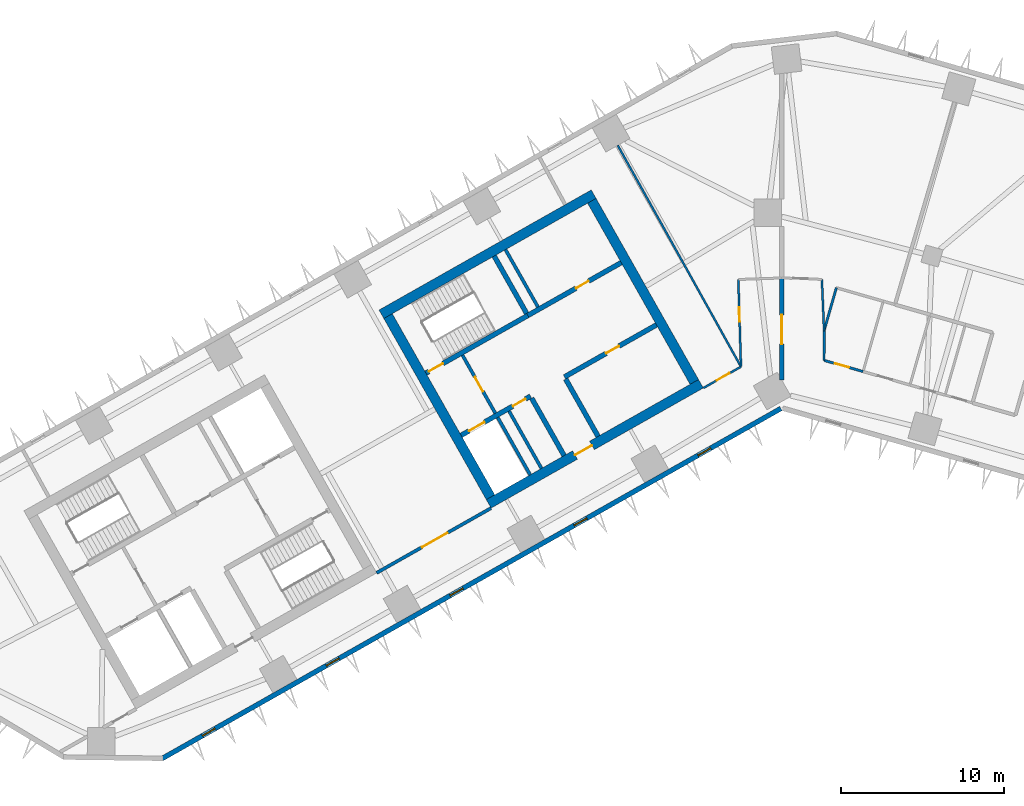
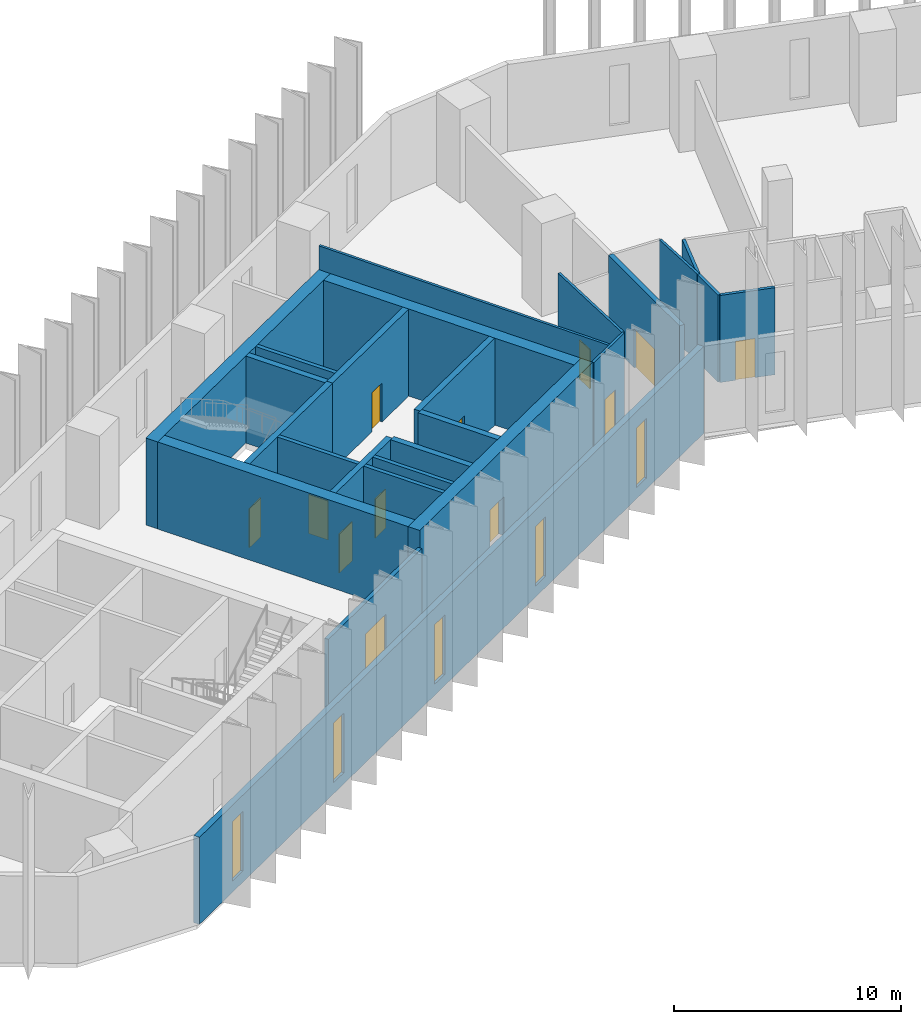
# One storey, part 4 of 11: 25 walls, 12 doors, 5 windows, 17 openings.
"""IFC4 building model written with IfcOpenShell, lengths in metres."""

from ifc_helpers import new_model, si_unit, direction, frame, frame_2d, origin, place, context, subcontext, project, spatial, rectangle, extrude, material, layer, layer_set, type_object, element, fill, save


model = new_model("IFC4")

# Units and contexts
model_context = context("Model", 3, precision=1e-05, world=origin(), true_north=direction((0.0, 1.0)))
body_context = subcontext(model_context, "Body", "Model", "MODEL_VIEW")
ifc_project = project(units=[si_unit("LENGTHUNIT", "METRE"), si_unit("AREAUNIT", "SQUARE_METRE"), si_unit("VOLUMEUNIT", "CUBIC_METRE"), si_unit("PLANEANGLEUNIT", "RADIAN"), si_unit("MASSUNIT", "GRAM", prefix="KILO")], contexts=[model_context])

# Site, building, storey
site_placement = place(None, origin())
site = spatial("IfcSite", under=ifc_project, at=site_placement, CompositionType="ELEMENT")
building_placement = place(site_placement, origin())
building = spatial("IfcBuilding", under=site, at=building_placement, Name="Binnacle Exchange Tower", CompositionType="ELEMENT")
storey_placement = place(building_placement, frame((0.0, 0.0, 46.5)))
storey = spatial("IfcBuildingStorey", under=building, at=storey_placement, Name="L09", CompositionType="ELEMENT", Elevation=46.5)

# Wall, openings, doors
ifc_material_1 = material(Name="Concrete C70/85", Category="concrete")
ifc_layer_1 = layer(ifc_material_1, 0.300048828125)
ifc_layer_set_1 = layer_set([ifc_layer_1], Name="Core wall - front 300")
wall_type_1 = type_object("IfcWallType", Name="Core wall - front 300", PredefinedType="SOLIDWALL", material=ifc_layer_set_1)
wall_1_placement = place(storey_placement, frame((-19.718017578125, 46.31640625, 0.0), z_axis=(0.0, 0.0, 1.0), x_axis=(0.870353963862, 0.492426621528, 0.0)))
wall_1 = element("IfcWall", 1, at=wall_1_placement, inside=storey, type_object=wall_type_1, Name="Core wall CRWC2", PredefinedType="SOLIDWALL", context=body_context, shape_type="SweptSolid", body=[
    extrude(rectangle(XDim=4.89990234375, YDim=0.300048828125, at=frame_2d((2.449951171875, 0.0))), origin(), (0.0, 0.0, 1.0), 4.679931640625),
])
opening_1_placement = place(wall_1_placement, frame((0.550048828125, 0.0, 0.0)))
opening_1 = element("IfcOpeningElement", 2, at=opening_1_placement, cuts=wall_1, Name="Opening LD14", PredefinedType="OPENING", context=body_context, shape_type="SweptSolid", body=[
    extrude(rectangle(XDim=1.10009765625, YDim=2.10009765625, at=frame_2d((0.550048828125, 1.050048828125))), frame((0.0, 0.159912109375, 0.0), z_axis=(0.0, -1.0, 0.0), x_axis=(1.0, 0.0, 0.0)), (0.0, 0.0, 1.0), 0.320068359375),
])
opening_2_placement = place(wall_1_placement, frame((3.64990234375, 0.0, 0.0)))
opening_2 = element("IfcOpeningElement", 3, at=opening_2_placement, cuts=wall_1, Name="Opening DC14", PredefinedType="OPENING", context=body_context, shape_type="SweptSolid", body=[
    extrude(rectangle(XDim=0.89990234375, YDim=2.10009765625, at=frame_2d((0.449951171875, 1.050048828125))), frame((0.0, 0.159912109375, 0.0), z_axis=(0.0, -1.0, 0.0), x_axis=(1.0, 0.0, 0.0)), (0.0, 0.0, 1.0), 0.320068359375),
])
ifc_material_2 = material(Name="Steel door leaf", Category="steel")
door_type_1 = type_object("IfcDoorType", Name="Fire door - lift landing 1100", OperationType="NOTDEFINED", PredefinedType="DOOR", material=ifc_material_2)
door_1_placement = place(opening_1_placement, origin())
door_1 = element("IfcDoor", 4, at=door_1_placement, inside=storey, type_object=door_type_1, Name="Landing door LD14 L09", OperationType="DOUBLE_DOOR_SLIDING", OverallHeight=2.10009765625, OverallWidth=1.10009765625, PredefinedType="DOOR", context=body_context, shape_type="SweptSolid", body=[
    extrude(rectangle(XDim=1.10009765625, YDim=2.10009765625, at=frame_2d((0.550048828125, 1.050048828125))), frame((0.0, 0.02490234375, 0.0), z_axis=(0.0, -1.0, 0.0), x_axis=(1.0, 0.0, 0.0)), (0.0, 0.0, 1.0), 0.050048828125),
])
fill(opening_1, door_1)
door_type_2 = type_object("IfcDoorType", Name="Fire door 900", OperationType="NOTDEFINED", PredefinedType="DOOR", material=ifc_material_2)
door_2_placement = place(opening_2_placement, frame((0.89990234375, 0.0, 0.0), z_axis=(0.0, 0.0, 1.0), x_axis=(-1.0, 0.0, 0.0)))
door_2 = element("IfcDoor", 5, at=door_2_placement, inside=storey, type_object=door_type_2, Name="Core room door FIBRE ENTRY ROOM", OperationType="SINGLE_SWING_LEFT", OverallHeight=2.10009765625, OverallWidth=0.89990234375, PredefinedType="DOOR", context=body_context, shape_type="SweptSolid", body=[
    extrude(rectangle(XDim=0.89990234375, YDim=2.10009765625, at=frame_2d((0.449951171875, 1.050048828125))), frame((0.0, 0.02490234375, 0.0), z_axis=(0.0, -1.0, 0.0), x_axis=(1.0, 0.0, 0.0)), (0.0, 0.0, 1.0), 0.050048828125),
])
fill(opening_2, door_2)

# Wall, opening, door
wall_2_placement = place(storey_placement, frame((-13.364501953125, 49.910888671875, 0.0), z_axis=(0.0, 0.0, 1.0), x_axis=(0.870340995471, 0.49244954219, 0.0)))
wall_2 = element("IfcWall", 6, at=wall_2_placement, inside=storey, type_object=wall_type_1, Name="Core wall CRWC3", PredefinedType="SOLIDWALL", context=body_context, shape_type="SweptSolid", body=[
    extrude(rectangle(XDim=6.5, YDim=0.300048828125, at=frame_2d((3.25, 0.0))), origin(), (0.0, 0.0, 1.0), 4.679931640625),
])
opening_3_placement = place(wall_2_placement, frame((2.949951171875, 0.0, 0.0)))
opening_3 = element("IfcOpeningElement", 7, at=opening_3_placement, cuts=wall_2, Name="Opening DC18", PredefinedType="OPENING", context=body_context, shape_type="SweptSolid", body=[
    extrude(rectangle(XDim=0.89990234375, YDim=2.10009765625, at=frame_2d((0.449951171875, 1.050048828125))), frame((0.0, 0.159912109375, 0.0), z_axis=(0.0, -1.0, 0.0), x_axis=(1.0, 0.0, 0.0)), (0.0, 0.0, 1.0), 0.320068359375),
])
door_3_placement = place(opening_3_placement, frame((0.89990234375, 0.0, 0.0), z_axis=(0.0, 0.0, 1.0), x_axis=(-1.0, 0.0, 0.0)))
door_3 = element("IfcDoor", 8, at=door_3_placement, inside=storey, type_object=door_type_2, Name="Core room door WORKSHOP STORE", OperationType="SINGLE_SWING_LEFT", OverallHeight=2.10009765625, OverallWidth=0.89990234375, PredefinedType="DOOR", context=body_context, shape_type="SweptSolid", body=[
    extrude(rectangle(XDim=0.89990234375, YDim=2.10009765625, at=frame_2d((0.449951171875, 1.050048828125))), frame((0.0, 0.02490234375, 0.0), z_axis=(0.0, -1.0, 0.0), x_axis=(1.0, 0.0, 0.0)), (0.0, 0.0, 1.0), 0.050048828125),
])
fill(opening_3, door_3)

wall_3_placement = place(storey_placement, frame((-15.6181640625, 53.69140625, 0.0), z_axis=(0.0, 0.0, 1.0), x_axis=(0.870356769198, 0.492421663121, 0.0)))
wall_3 = element("IfcWall", 9, at=wall_3_placement, inside=storey, type_object=wall_type_1, Name="Core wall CRWC5", PredefinedType="SOLIDWALL", context=body_context, shape_type="SweptSolid", body=[
    extrude(rectangle(XDim=6.60009765625, YDim=0.300048828125, at=frame_2d((3.300048828125, 0.0))), origin(), (0.0, 0.0, 1.0), 4.679931640625),
])
opening_4_placement = place(wall_3_placement, frame((3.400146484375, 0.0, 0.0)))
opening_4 = element("IfcOpeningElement", 10, at=opening_4_placement, cuts=wall_3, Name="Opening DC10", PredefinedType="OPENING", context=body_context, shape_type="SweptSolid", body=[
    extrude(rectangle(XDim=0.89990234375, YDim=2.10009765625, at=frame_2d((0.449951171875, 1.050048828125))), frame((0.0, 0.159912109375, 0.0), z_axis=(0.0, -1.0, 0.0), x_axis=(1.0, 0.0, 0.0)), (0.0, 0.0, 1.0), 0.320068359375),
])
door_4_placement = place(opening_4_placement, origin())
door_4 = element("IfcDoor", 11, at=door_4_placement, inside=storey, type_object=door_type_2, Name="Core room door STAFF PANTRY AND STORE", OperationType="SINGLE_SWING_RIGHT", OverallHeight=2.10009765625, OverallWidth=0.89990234375, PredefinedType="DOOR", context=body_context, shape_type="SweptSolid", body=[
    extrude(rectangle(XDim=0.89990234375, YDim=2.10009765625, at=frame_2d((0.449951171875, 1.050048828125))), frame((0.0, 0.02490234375, 0.0), z_axis=(0.0, -1.0, 0.0), x_axis=(1.0, 0.0, 0.0)), (0.0, 0.0, 1.0), 0.050048828125),
])
fill(opening_4, door_4)

# Walls
for number, where, z_axis, x_axis, name in (
    (12, (-15.37939453125, 48.5986328125, 0.0), (0.0, 0.0, 1.0), (0.492394910396, -0.870371904542, 0.0), "Core wall CRWC13"),
    (13, (-13.29052734375, 49.780517578125, 0.0), (0.0, 0.0, 1.0), (0.492394910396, -0.870371904542, 0.0), "Core wall CRWC15"),
):
    element("IfcWall", number, at=place(storey_placement, frame(where, z_axis=z_axis, x_axis=x_axis)), inside=storey, type_object=wall_type_1, Name=name, PredefinedType="SOLIDWALL", context=body_context, shape_type="SweptSolid", body=[
        extrude(rectangle(XDim=4.0498046875, YDim=0.300048828125, at=frame_2d((2.02490234375, 0.0))), origin(), (0.0, 0.0, 1.0), 4.679931640625),
    ])

# Wall, opening, door
ifc_layer_2 = layer(ifc_material_1, 0.60009765625)
ifc_layer_set_2 = layer_set([ifc_layer_2], Name="Core wall - outer 600")
wall_type_2 = type_object("IfcWallType", Name="Core wall - outer 600", PredefinedType="SOLIDWALL", material=ifc_layer_set_2)
wall_4_placement = place(storey_placement, frame((-18.0244140625, 42.104248046875, 0.0), z_axis=(0.0, 0.0, 1.0), x_axis=(0.870360574057, 0.492414937962, 0.0)))
wall_4 = element("IfcWall", 14, at=wall_4_placement, inside=storey, type_object=wall_type_2, Name="Core wall CRWC1", PredefinedType="SOLIDWALL", context=body_context, shape_type="SweptSolid", body=[
    extrude(rectangle(XDim=15.0, YDim=0.60009765625, at=frame_2d((7.5, 0.0))), origin(), (0.0, 0.0, 1.0), 4.679931640625),
])
opening_5_placement = place(wall_4_placement, frame((6.10009765625, 0.0, 0.0)))
opening_5 = element("IfcOpeningElement", 15, at=opening_5_placement, cuts=wall_4, Name="Opening DC7", PredefinedType="OPENING", context=body_context, shape_type="SweptSolid", body=[
    extrude(rectangle(XDim=1.199951171875, YDim=2.10009765625, at=frame_2d((0.60009765625, 1.050048828125))), frame((0.0, 0.31005859375, 0.0), z_axis=(0.0, -1.0, 0.0), x_axis=(1.0, 0.0, 0.0)), (0.0, 0.0, 1.0), 0.6201171875),
])
door_type_3 = type_object("IfcDoorType", Name="Fire door 1200", OperationType="NOTDEFINED", PredefinedType="DOOR", material=ifc_material_2)
door_5_placement = place(opening_5_placement, frame((1.199951171875, 0.0, 0.0), z_axis=(0.0, 0.0, 1.0), x_axis=(-1.0, 0.0, 0.0)))
door_5 = element("IfcDoor", 16, at=door_5_placement, inside=storey, type_object=door_type_3, Name="Lift lobby entrance door core C", OperationType="SINGLE_SWING_RIGHT", OverallHeight=2.10009765625, OverallWidth=1.199951171875, PredefinedType="DOOR", context=body_context, shape_type="SweptSolid", body=[
    extrude(rectangle(XDim=1.199951171875, YDim=2.10009765625, at=frame_2d((0.60009765625, 1.050048828125))), frame((0.0, 0.02490234375, 0.0), z_axis=(0.0, -1.0, 0.0), x_axis=(1.0, 0.0, 0.0)), (0.0, 0.0, 1.0), 0.050048828125),
])
fill(opening_5, door_5)

# Walls
wall_5_placement = place(storey_placement, frame((-24.622802734375, 53.76708984375, 0.0), z_axis=(0.0, 0.0, 1.0), x_axis=(0.870356627484, 0.492421913601, 0.0)))
element("IfcWall", 17, at=wall_5_placement, inside=storey, type_object=wall_type_2, Name="Core wall CRWC6", PredefinedType="SOLIDWALL", context=body_context, shape_type="SweptSolid", body=[
    extrude(rectangle(XDim=14.999755859375, YDim=0.60009765625, at=frame_2d((7.5, 0.0))), origin(), (0.0, 0.0, 1.0), 4.679931640625),
])
wall_6_placement = place(storey_placement, frame((-24.214111328125, 53.653564453125, 0.0), z_axis=(0.0, 0.0, 1.0), x_axis=(0.492441221355, -0.870345703448, 0.0)))
element("IfcWall", 18, at=wall_6_placement, inside=storey, type_object=wall_type_2, Name="Core wall CRWC7", PredefinedType="SOLIDWALL", context=body_context, shape_type="SweptSolid", body=[
    extrude(rectangle(XDim=12.800048828125, YDim=0.60009765625, at=frame_2d((6.39990234375, 0.0))), origin(), (0.0, 0.0, 1.0), 4.679931640625),
])
wall_7_placement = place(storey_placement, frame((-11.680908203125, 60.744384765625, 0.0), z_axis=(0.0, 0.0, 1.0), x_axis=(0.492426772896, -0.870353878221, 0.0)))
element("IfcWall", 19, at=wall_7_placement, inside=storey, type_object=wall_type_2, Name="Core wall CRWC24", PredefinedType="SOLIDWALL", context=body_context, shape_type="SweptSolid", body=[
    extrude(rectangle(XDim=12.7998046875, YDim=0.60009765625, at=frame_2d((6.39990234375, 0.0))), origin(), (0.0, 0.0, 1.0), 4.679931640625),
])

# Wall, opening, door
ifc_layer_3 = layer(ifc_material_1, 0.300048828125)
ifc_layer_set_3 = layer_set([ifc_layer_3], Name="Core wall - stair 300")
wall_type_3 = type_object("IfcWallType", Name="Core wall - stair 300", PredefinedType="SOLIDWALL", material=ifc_layer_set_3)
wall_8_placement = place(storey_placement, frame((-21.884765625, 50.14599609375, 0.0), z_axis=(0.0, 0.0, 1.0), x_axis=(0.870359411463, 0.492416992881, 0.0)))
wall_8 = element("IfcWall", 20, at=wall_8_placement, inside=storey, type_object=wall_type_3, Name="Core wall CRWC4", PredefinedType="SOLIDWALL", context=body_context, shape_type="SweptSolid", body=[
    extrude(rectangle(XDim=7.199951171875, YDim=0.300048828125, at=frame_2d((3.60009765625, 0.0))), origin(), (0.0, 0.0, 1.0), 4.679931640625),
])
opening_6_placement = place(wall_8_placement, frame((0.199951171875, 0.0, 0.0)))
opening_6 = element("IfcOpeningElement", 21, at=opening_6_placement, cuts=wall_8, Name="Opening DC1", PredefinedType="OPENING", context=body_context, shape_type="SweptSolid", body=[
    extrude(rectangle(XDim=1.0, YDim=2.10009765625, at=frame_2d((0.5, 1.050048828125))), frame((0.0, 0.159912109375, 0.0), z_axis=(0.0, -1.0, 0.0), x_axis=(1.0, 0.0, 0.0)), (0.0, 0.0, 1.0), 0.320068359375),
])
door_type_4 = type_object("IfcDoorType", Name="Fire door 1000", OperationType="NOTDEFINED", PredefinedType="DOOR", material=ifc_material_2)
door_6_placement = place(opening_6_placement, origin())
door_6 = element("IfcDoor", 22, at=door_6_placement, inside=storey, type_object=door_type_4, Name="Stair door ST-C1", OperationType="SINGLE_SWING_LEFT", OverallHeight=2.10009765625, OverallWidth=1.0, PredefinedType="DOOR", context=body_context, shape_type="SweptSolid", body=[
    extrude(rectangle(XDim=1.0, YDim=2.10009765625, at=frame_2d((0.5, 1.050048828125))), frame((0.0, 0.02490234375, 0.0), z_axis=(0.0, -1.0, 0.0), x_axis=(1.0, 0.0, 0.0)), (0.0, 0.0, 1.0), 0.050048828125),
])
fill(opening_6, door_6)

# Wall
wall_9_placement = place(storey_placement, frame((-17.686279296875, 57.3466796875, 0.0), z_axis=(0.0, 0.0, 1.0), x_axis=(0.492420746998, -0.870357287513, 0.0)))
element("IfcWall", 23, at=wall_9_placement, inside=storey, type_object=wall_type_3, Name="Core wall CRWC14", PredefinedType="SOLIDWALL", context=body_context, shape_type="SweptSolid", body=[
    extrude(rectangle(XDim=4.049560546875, YDim=0.300048828125, at=frame_2d((2.02490234375, 0.0))), origin(), (0.0, 0.0, 1.0), 4.679931640625),
])

# Wall, openings, windows
ifc_material_3 = material(Name="Bronze aluminium cladding", Category="aluminium")
ifc_layer_4 = layer(ifc_material_3, 0.300048828125)
ifc_layer_set_4 = layer_set([ifc_layer_4], Name="External wall - spandrel 300")
wall_type_4 = type_object("IfcWallType", Name="External wall - spandrel 300", PredefinedType="STANDARD", material=ifc_layer_set_4)
wall_10_placement = place(storey_placement, frame((-0.0546875, 47.968994140625, 0.0), z_axis=(0.0, 0.0, 1.0), x_axis=(-0.870355730478, -0.492423499058, 0.0)))
wall_10 = element("IfcWall", 24, at=wall_10_placement, inside=storey, type_object=wall_type_4, Name="External wall EW-F07 L09", PredefinedType="STANDARD", context=body_context, shape_type="SweptSolid", body=[
    extrude(rectangle(XDim=43.750244140625, YDim=0.300048828125, at=frame_2d((21.875, 0.0))), origin(), (0.0, 0.0, 1.0), 4.679931640625),
])
opening_7_placement = place(wall_10_placement, frame((39.976806640625, 0.0, 0.60009765625)))
opening_7 = element("IfcOpeningElement", 25, at=opening_7_placement, cuts=wall_10, Name="Opening WS1", PredefinedType="OPENING", context=body_context, shape_type="SweptSolid", body=[
    extrude(rectangle(XDim=0.89990234375, YDim=3.199951171875, at=frame_2d((0.449951171875, 1.60009765625))), frame((0.0, 0.159912109375, 0.0), z_axis=(0.0, -1.0, 0.0), x_axis=(1.0, 0.0, 0.0)), (0.0, 0.0, 1.0), 0.320068359375),
])
opening_8_placement = place(wall_10_placement, frame((31.222412109375, 0.0, 0.60009765625)))
opening_8 = element("IfcOpeningElement", 26, at=opening_8_placement, cuts=wall_10, Name="Opening WS1", PredefinedType="OPENING", context=body_context, shape_type="SweptSolid", body=[
    extrude(rectangle(XDim=0.89990234375, YDim=3.199951171875, at=frame_2d((0.449951171875, 1.60009765625))), frame((0.0, 0.159912109375, 0.0), z_axis=(0.0, -1.0, 0.0), x_axis=(1.0, 0.0, 0.0)), (0.0, 0.0, 1.0), 0.320068359375),
])
opening_9_placement = place(wall_10_placement, frame((22.4677734375, 0.0, 0.60009765625)))
opening_9 = element("IfcOpeningElement", 27, at=opening_9_placement, cuts=wall_10, Name="Opening WS1", PredefinedType="OPENING", context=body_context, shape_type="SweptSolid", body=[
    extrude(rectangle(XDim=0.89990234375, YDim=3.199951171875, at=frame_2d((0.449951171875, 1.60009765625))), frame((0.0, 0.159912109375, 0.0), z_axis=(0.0, -1.0, 0.0), x_axis=(1.0, 0.0, 0.0)), (0.0, 0.0, 1.0), 0.320068359375),
])
opening_10_placement = place(wall_10_placement, frame((13.713134765625, 0.0, 0.60009765625)))
opening_10 = element("IfcOpeningElement", 28, at=opening_10_placement, cuts=wall_10, Name="Opening WS1", PredefinedType="OPENING", context=body_context, shape_type="SweptSolid", body=[
    extrude(rectangle(XDim=0.89990234375, YDim=3.199951171875, at=frame_2d((0.449951171875, 1.60009765625))), frame((0.0, 0.159912109375, 0.0), z_axis=(0.0, -1.0, 0.0), x_axis=(1.0, 0.0, 0.0)), (0.0, 0.0, 1.0), 0.320068359375),
])
opening_11_placement = place(wall_10_placement, frame((4.958740234375, 0.0, 0.60009765625)))
opening_11 = element("IfcOpeningElement", 29, at=opening_11_placement, cuts=wall_10, Name="Opening WS1", PredefinedType="OPENING", context=body_context, shape_type="SweptSolid", body=[
    extrude(rectangle(XDim=0.89990234375, YDim=3.199951171875, at=frame_2d((0.449951171875, 1.60009765625))), frame((0.0, 0.159912109375, 0.0), z_axis=(0.0, -1.0, 0.0), x_axis=(1.0, 0.0, 0.0)), (0.0, 0.0, 1.0), 0.320068359375),
])
ifc_material_4 = material(Name="Bronze anodised aluminium frame", Category="aluminium")
window_type = type_object("IfcWindowType", Name="WS1 WINDOW 900x3200", PartitioningType="SINGLE_PANEL", PredefinedType="WINDOW", material=ifc_material_4)
window_1_placement = place(opening_7_placement, origin())
window_1 = element("IfcWindow", 30, at=window_1_placement, inside=storey, type_object=window_type, Name="Window WS1 L09", OverallHeight=3.199951171875, OverallWidth=0.89990234375, PartitioningType="SINGLE_PANEL", PredefinedType="WINDOW", context=body_context, shape_type="SweptSolid", body=[
    extrude(rectangle(XDim=0.89990234375, YDim=3.199951171875, at=frame_2d((0.449951171875, 1.60009765625))), frame((0.0, 0.030029296875, 0.0), z_axis=(0.0, -1.0, 0.0), x_axis=(1.0, 0.0, 0.0)), (0.0, 0.0, 1.0), 0.06005859375),
])
fill(opening_7, window_1)
window_2_placement = place(opening_8_placement, origin())
window_2 = element("IfcWindow", 31, at=window_2_placement, inside=storey, type_object=window_type, Name="Window WS1 L09", OverallHeight=3.199951171875, OverallWidth=0.89990234375, PartitioningType="SINGLE_PANEL", PredefinedType="WINDOW", context=body_context, shape_type="SweptSolid", body=[
    extrude(rectangle(XDim=0.89990234375, YDim=3.199951171875, at=frame_2d((0.449951171875, 1.60009765625))), frame((0.0, 0.030029296875, 0.0), z_axis=(0.0, -1.0, 0.0), x_axis=(1.0, 0.0, 0.0)), (0.0, 0.0, 1.0), 0.06005859375),
])
fill(opening_8, window_2)
window_3_placement = place(opening_9_placement, origin())
window_3 = element("IfcWindow", 32, at=window_3_placement, inside=storey, type_object=window_type, Name="Window WS1 L09", OverallHeight=3.199951171875, OverallWidth=0.89990234375, PartitioningType="SINGLE_PANEL", PredefinedType="WINDOW", context=body_context, shape_type="SweptSolid", body=[
    extrude(rectangle(XDim=0.89990234375, YDim=3.199951171875, at=frame_2d((0.449951171875, 1.60009765625))), frame((0.0, 0.030029296875, 0.0), z_axis=(0.0, -1.0, 0.0), x_axis=(1.0, 0.0, 0.0)), (0.0, 0.0, 1.0), 0.06005859375),
])
fill(opening_9, window_3)
window_4_placement = place(opening_10_placement, origin())
window_4 = element("IfcWindow", 33, at=window_4_placement, inside=storey, type_object=window_type, Name="Window WS1 L09", OverallHeight=3.199951171875, OverallWidth=0.89990234375, PartitioningType="SINGLE_PANEL", PredefinedType="WINDOW", context=body_context, shape_type="SweptSolid", body=[
    extrude(rectangle(XDim=0.89990234375, YDim=3.199951171875, at=frame_2d((0.449951171875, 1.60009765625))), frame((0.0, 0.030029296875, 0.0), z_axis=(0.0, -1.0, 0.0), x_axis=(1.0, 0.0, 0.0)), (0.0, 0.0, 1.0), 0.06005859375),
])
fill(opening_10, window_4)
window_5_placement = place(opening_11_placement, origin())
window_5 = element("IfcWindow", 34, at=window_5_placement, inside=storey, type_object=window_type, Name="Window WS1 L09", OverallHeight=3.199951171875, OverallWidth=0.89990234375, PartitioningType="SINGLE_PANEL", PredefinedType="WINDOW", context=body_context, shape_type="SweptSolid", body=[
    extrude(rectangle(XDim=0.89990234375, YDim=3.199951171875, at=frame_2d((0.449951171875, 1.60009765625))), frame((0.0, 0.030029296875, 0.0), z_axis=(0.0, -1.0, 0.0), x_axis=(1.0, 0.0, 0.0)), (0.0, 0.0, 1.0), 0.06005859375),
])
fill(opening_11, window_5)

# Wall, opening, door
ifc_material_5 = material(Name="Masonry block wall", Category="masonry")
ifc_layer_5 = layer(ifc_material_5, 0.199951171875)
ifc_layer_set_5 = layer_set([ifc_layer_5], Name="Fire wall - block 200")
wall_type_5 = type_object("IfcWallType", Name="Fire wall - block 200", PredefinedType="PARTITIONING", material=ifc_layer_set_5)
wall_11_placement = place(storey_placement, frame((-24.9189453125, 37.85888671875, 0.0), z_axis=(0.0, 0.0, 1.0), x_axis=(0.870357635969, 0.492420131098, 0.0)))
wall_11 = element("IfcWall", 35, at=wall_11_placement, inside=storey, type_object=wall_type_5, Name="Partition W04", PredefinedType="PARTITIONING", context=body_context, shape_type="SweptSolid", body=[
    extrude(rectangle(XDim=8.0908203125, YDim=0.199951171875, at=frame_2d((4.04541015625, 0.0))), origin(), (0.0, 0.0, 1.0), 3.748046875),
])
opening_12_placement = place(wall_11_placement, frame((3.199951171875, 0.0, 0.0)))
opening_12 = element("IfcOpeningElement", 36, at=opening_12_placement, cuts=wall_11, Name="Opening DL08-02", PredefinedType="OPENING", context=body_context, shape_type="SweptSolid", body=[
    extrude(rectangle(XDim=1.800048828125, YDim=2.10009765625, at=frame_2d((0.89990234375, 1.050048828125))), frame((0.0, 0.10986328125, 0.0), z_axis=(0.0, -1.0, 0.0), x_axis=(1.0, 0.0, 0.0)), (0.0, 0.0, 1.0), 0.219970703125),
])
door_type_5 = type_object("IfcDoorType", Name="Fire door 1800", OperationType="NOTDEFINED", PredefinedType="DOOR", material=ifc_material_2)
door_7_placement = place(opening_12_placement, origin())
door_7 = element("IfcDoor", 37, at=door_7_placement, inside=storey, type_object=door_type_5, Name="Door DL08-02", OperationType="DOUBLE_DOOR_SINGLE_SWING", OverallHeight=2.10009765625, OverallWidth=1.800048828125, PredefinedType="DOOR", context=body_context, shape_type="SweptSolid", body=[
    extrude(rectangle(XDim=1.800048828125, YDim=2.10009765625, at=frame_2d((0.89990234375, 1.050048828125))), frame((0.0, 0.02490234375, 0.0), z_axis=(0.0, -1.0, 0.0), x_axis=(1.0, 0.0, 0.0)), (0.0, 0.0, 1.0), 0.050048828125),
])
fill(opening_12, door_7)

ifc_material_6 = material(Name="Concrete fire wall C30/37", Category="concrete")
ifc_layer_6 = layer(ifc_material_6, 0.25)
ifc_layer_set_6 = layer_set([ifc_layer_6], Name="Fire wall - compartment 250")
wall_type_6 = type_object("IfcWallType", Name="Fire wall - compartment 250", PredefinedType="PARTITIONING", material=ifc_layer_set_6)
wall_12_placement = place(storey_placement, frame((0.0, 49.72607421875, 0.0), z_axis=(0.0, 0.0, 1.0), x_axis=(0.0, 1.0, 0.0)))
wall_12 = element("IfcWall", 38, at=wall_12_placement, inside=storey, type_object=wall_type_6, Name="Fire Wall W10", PredefinedType="PARTITIONING", context=body_context, shape_type="SweptSolid", body=[
    extrude(rectangle(XDim=6.27392578125, YDim=0.25, at=frame_2d((3.136962890625, 0.0))), origin(), (0.0, 0.0, 1.0), 4.679931640625),
])
opening_13_placement = place(wall_12_placement, frame((2.199951171875, 0.0, 0.0)))
opening_13 = element("IfcOpeningElement", 39, at=opening_13_placement, cuts=wall_12, Name="Opening DL08-13", PredefinedType="OPENING", context=body_context, shape_type="SweptSolid", body=[
    extrude(rectangle(XDim=1.800048828125, YDim=2.10009765625, at=frame_2d((0.89990234375, 1.050048828125))), frame((0.0, 0.135009765625, 0.0), z_axis=(0.0, -1.0, 0.0), x_axis=(1.0, 0.0, 0.0)), (0.0, 0.0, 1.0), 0.27001953125),
])
door_8_placement = place(opening_13_placement, origin())
door_8 = element("IfcDoor", 40, at=door_8_placement, inside=storey, type_object=door_type_5, Name="Door DL08-13", OperationType="DOUBLE_DOOR_SINGLE_SWING", OverallHeight=2.10009765625, OverallWidth=1.800048828125, PredefinedType="DOOR", context=body_context, shape_type="SweptSolid", body=[
    extrude(rectangle(XDim=1.800048828125, YDim=2.10009765625, at=frame_2d((0.89990234375, 1.050048828125))), frame((0.0, 0.02490234375, 0.0), z_axis=(0.0, -1.0, 0.0), x_axis=(1.0, 0.0, 0.0)), (0.0, 0.0, 1.0), 0.050048828125),
])
fill(opening_13, door_8)

ifc_layer_7 = layer(ifc_material_5, 0.199951171875)
ifc_layer_set_7 = layer_set([ifc_layer_7], Name="Fire wall - vestibule 200")
wall_type_7 = type_object("IfcWallType", Name="Fire wall - vestibule 200", PredefinedType="PARTITIONING", material=ifc_layer_set_7)
wall_13_placement = place(storey_placement, frame((-19.635009765625, 51.246337890625, 0.0), z_axis=(0.0, 0.0, 1.0), x_axis=(0.492408451753, -0.87036424366, 0.0)))
wall_13 = element("IfcWall", 41, at=wall_13_placement, inside=storey, type_object=wall_type_7, Name="Core wall CRWC10", PredefinedType="PARTITIONING", context=body_context, shape_type="SweptSolid", body=[
    extrude(rectangle(XDim=4.099853515625, YDim=0.199951171875, at=frame_2d((2.0498046875, 0.0))), origin(), (0.0, 0.0, 1.0), 4.679931640625),
])
opening_14_placement = place(wall_13_placement, frame((1.550048828125, 0.0, 0.0)))
opening_14 = element("IfcOpeningElement", 42, at=opening_14_placement, cuts=wall_13, Name="Opening DC3", PredefinedType="OPENING", context=body_context, shape_type="SweptSolid", body=[
    extrude(rectangle(XDim=1.0, YDim=2.10009765625, at=frame_2d((0.5, 1.050048828125))), frame((0.0, 0.10986328125, 0.0), z_axis=(0.0, -1.0, 0.0), x_axis=(1.0, 0.0, 0.0)), (0.0, 0.0, 1.0), 0.219970703125),
])
door_9_placement = place(opening_14_placement, frame((1.0, 0.0, 0.0), z_axis=(0.0, 0.0, 1.0), x_axis=(-1.0, 0.0, 0.0)))
door_9 = element("IfcDoor", 43, at=door_9_placement, inside=storey, type_object=door_type_4, Name="Vestibule door VEST-W", OperationType="SINGLE_SWING_RIGHT", OverallHeight=2.10009765625, OverallWidth=1.0, PredefinedType="DOOR", context=body_context, shape_type="SweptSolid", body=[
    extrude(rectangle(XDim=1.0, YDim=2.10009765625, at=frame_2d((0.5, 1.050048828125))), frame((0.0, 0.02490234375, 0.0), z_axis=(0.0, -1.0, 0.0), x_axis=(1.0, 0.0, 0.0)), (0.0, 0.0, 1.0), 0.050048828125),
])
fill(opening_14, door_9)

# Wall
ifc_material_7 = material(Name="Gypsum partition fire rated")
ifc_layer_8 = layer(ifc_material_7, 0.14990234375)
ifc_layer_set_8 = layer_set([ifc_layer_8], Name="Fire-rated partition 150")
wall_type_8 = type_object("IfcWallType", Name="Fire-rated partition 150", PredefinedType="PARTITIONING", material=ifc_layer_set_8)
wall_14_placement = place(storey_placement, frame((2.60107421875, 50.931884765625, 0.0), z_axis=(0.0, 0.0, 1.0), x_axis=(0.001073104681, 0.999999424223, 0.0)))
element("IfcWall", 44, at=wall_14_placement, inside=storey, type_object=wall_type_8, Name="Partition W15", PredefinedType="PARTITIONING", context=body_context, shape_type="SweptSolid", body=[
    extrude(rectangle(XDim=1.820068359375, YDim=0.14990234375, at=frame_2d((0.91015625, 0.0))), origin(), (0.0, 0.0, 1.0), 4.679931640625),
])

# Wall, opening, door
wall_15_placement = place(storey_placement, frame((2.60107421875, 50.931884765625, 0.0), z_axis=(0.0, 0.0, 1.0), x_axis=(0.961265528111, -0.275623991092, 0.0)))
wall_15 = element("IfcWall", 45, at=wall_15_placement, inside=storey, type_object=wall_type_8, Name="Partition W16", PredefinedType="PARTITIONING", context=body_context, shape_type="SweptSolid", body=[
    extrude(rectangle(XDim=2.499755859375, YDim=0.14990234375, at=frame_2d((1.25, 0.0))), origin(), (0.0, 0.0, 1.0), 4.679931640625),
])
opening_15_placement = place(wall_15_placement, frame((0.699951171875, 0.0, 0.0)))
opening_15 = element("IfcOpeningElement", 46, at=opening_15_placement, cuts=wall_15, Name="Opening DL08-05", PredefinedType="OPENING", context=body_context, shape_type="SweptSolid", body=[
    extrude(rectangle(XDim=0.89990234375, YDim=2.10009765625, at=frame_2d((0.449951171875, 1.050048828125))), frame((0.0, 0.0849609375, 0.0), z_axis=(0.0, -1.0, 0.0), x_axis=(1.0, 0.0, 0.0)), (0.0, 0.0, 1.0), 0.169921875),
])
door_10_placement = place(opening_15_placement, origin())
door_10 = element("IfcDoor", 47, at=door_10_placement, inside=storey, type_object=door_type_2, Name="Door DL08-05", OperationType="SINGLE_SWING_LEFT", OverallHeight=2.10009765625, OverallWidth=0.89990234375, PredefinedType="DOOR", context=body_context, shape_type="SweptSolid", body=[
    extrude(rectangle(XDim=0.89990234375, YDim=2.10009765625, at=frame_2d((0.449951171875, 1.050048828125))), frame((0.0, 0.02490234375, 0.0), z_axis=(0.0, -1.0, 0.0), x_axis=(1.0, 0.0, 0.0)), (0.0, 0.0, 1.0), 0.050048828125),
])
fill(opening_15, door_10)

# Walls
wall_16_placement = place(storey_placement, frame((2.60302734375, 52.751953125, 0.0), z_axis=(0.0, 0.0, 1.0), x_axis=(0.27569433145, 0.961245356611, 0.0)))
element("IfcWall", 48, at=wall_16_placement, inside=storey, type_object=wall_type_8, Name="Partition W17", PredefinedType="PARTITIONING", context=body_context, shape_type="SweptSolid", body=[
    extrude(rectangle(XDim=2.74951171875, YDim=0.14990234375, at=frame_2d((1.374755859375, 0.0))), origin(), (0.0, 0.0, 1.0), 4.679931640625),
])
ifc_material_8 = material(Name="Gypsum partition")
ifc_layer_9 = layer(ifc_material_8, 0.125)
ifc_layer_set_9 = layer_set([ifc_layer_9], Name="Partition 125")
wall_type_9 = type_object("IfcWallType", Name="Partition 125", PredefinedType="PARTITIONING", material=ifc_layer_set_9)
wall_17_placement = place(storey_placement, frame((-10.087890625, 64.155029296875, 0.0), z_axis=(0.0, 0.0, 1.0), x_axis=(0.486446127767, -0.873710572661, 0.0)))
element("IfcWall", 49, at=wall_17_placement, inside=storey, type_object=wall_type_9, Name="Partition W06", PredefinedType="PARTITIONING", context=body_context, shape_type="SweptSolid", body=[
    extrude(rectangle(XDim=15.583984375, YDim=0.125, at=frame_2d((7.7919921875, 0.0))), origin(), (0.0, 0.0, 1.0), 3.760009765625),
])

# Wall, opening, door
wall_18_placement = place(storey_placement, frame((-4.821044921875, 49.22998046875, 0.0), z_axis=(0.0, 0.0, 1.0), x_axis=(0.870371217631, 0.492396124598, 0.0)))
wall_18 = element("IfcWall", 50, at=wall_18_placement, inside=storey, type_object=wall_type_9, Name="Partition W07", PredefinedType="PARTITIONING", context=body_context, shape_type="SweptSolid", body=[
    extrude(rectangle(XDim=2.65869140625, YDim=0.125, at=frame_2d((1.329345703125, 0.0))), origin(), (0.0, 0.0, 1.0), 4.679931640625),
])
opening_16_placement = place(wall_18_placement, frame((0.949951171875, 0.0, 0.0)))
opening_16 = element("IfcOpeningElement", 51, at=opening_16_placement, cuts=wall_18, Name="Opening DL08-03", PredefinedType="OPENING", context=body_context, shape_type="SweptSolid", body=[
    extrude(rectangle(XDim=0.89990234375, YDim=2.10009765625, at=frame_2d((0.449951171875, 1.050048828125))), frame((0.0, 0.072509765625, 0.0), z_axis=(0.0, -1.0, 0.0), x_axis=(1.0, 0.0, 0.0)), (0.0, 0.0, 1.0), 0.14501953125),
])
ifc_material_9 = material(Name="Timber door leaf", Category="wood")
door_type_6 = type_object("IfcDoorType", Name="Door 900", OperationType="NOTDEFINED", PredefinedType="DOOR", material=ifc_material_9)
door_11_placement = place(opening_16_placement, origin())
door_11 = element("IfcDoor", 52, at=door_11_placement, inside=storey, type_object=door_type_6, Name="Door DL08-03", OperationType="SINGLE_SWING_RIGHT", OverallHeight=2.10009765625, OverallWidth=0.89990234375, PredefinedType="DOOR", context=body_context, shape_type="SweptSolid", body=[
    extrude(rectangle(XDim=0.89990234375, YDim=2.10009765625, at=frame_2d((0.449951171875, 1.050048828125))), frame((0.0, 0.02490234375, 0.0), z_axis=(0.0, -1.0, 0.0), x_axis=(1.0, 0.0, 0.0)), (0.0, 0.0, 1.0), 0.050048828125),
])
fill(opening_16, door_11)

wall_19_placement = place(storey_placement, frame((-2.669921875, 55.904052734375, 0.0), z_axis=(0.0, 0.0, 1.0), x_axis=(0.030338701418, -0.999539675649, 0.0)))
wall_19 = element("IfcWall", 53, at=wall_19_placement, inside=storey, type_object=wall_type_9, Name="Partition W08", PredefinedType="PARTITIONING", context=body_context, shape_type="SweptSolid", body=[
    extrude(rectangle(XDim=5.367431640625, YDim=0.125, at=frame_2d((2.68359375, 0.0))), origin(), (0.0, 0.0, 1.0), 4.679931640625),
])
opening_17_placement = place(wall_19_placement, frame((1.699951171875, 0.0, 0.0)))
opening_17 = element("IfcOpeningElement", 54, at=opening_17_placement, cuts=wall_19, Name="Opening DL08-04", PredefinedType="OPENING", context=body_context, shape_type="SweptSolid", body=[
    extrude(rectangle(XDim=0.89990234375, YDim=2.10009765625, at=frame_2d((0.449951171875, 1.050048828125))), frame((0.0, 0.072509765625, 0.0), z_axis=(0.0, -1.0, 0.0), x_axis=(1.0, 0.0, 0.0)), (0.0, 0.0, 1.0), 0.14501953125),
])
door_12_placement = place(opening_17_placement, frame((0.89990234375, 0.0, 0.0), z_axis=(0.0, 0.0, 1.0), x_axis=(-1.0, 0.0, 0.0)))
door_12 = element("IfcDoor", 55, at=door_12_placement, inside=storey, type_object=door_type_6, Name="Door DL08-04", OperationType="SINGLE_SWING_RIGHT", OverallHeight=2.10009765625, OverallWidth=0.89990234375, PredefinedType="DOOR", context=body_context, shape_type="SweptSolid", body=[
    extrude(rectangle(XDim=0.89990234375, YDim=2.10009765625, at=frame_2d((0.449951171875, 1.050048828125))), frame((0.0, 0.02490234375, 0.0), z_axis=(0.0, -1.0, 0.0), x_axis=(1.0, 0.0, 0.0)), (0.0, 0.0, 1.0), 0.050048828125),
])
fill(opening_17, door_12)

# Walls
wall_20_placement = place(storey_placement, frame((2.468994140625, 55.910888671875, 0.0), z_axis=(0.0, 0.0, 1.0), x_axis=(0.042391721597, -0.99910106693, 0.0)))
element("IfcWall", 56, at=wall_20_placement, inside=storey, type_object=wall_type_9, Name="Partition W14", PredefinedType="PARTITIONING", context=body_context, shape_type="SweptSolid", body=[
    extrude(rectangle(XDim=3.161865234375, YDim=0.125, at=frame_2d((1.5810546875, 0.0))), origin(), (0.0, 0.0, 1.0), 4.679931640625),
])
ifc_layer_10 = layer(ifc_material_5, 0.199951171875)
ifc_layer_set_10 = layer_set([ifc_layer_10], Name="Riser wall 200")
wall_type_10 = type_object("IfcWallType", Name="Riser wall 200", PredefinedType="SOLIDWALL", material=ifc_layer_set_10)
for number, where, z_axis, x_axis, name in (
    (57, (-17.468505859375, 47.416748046875, 0.0), (0.0, 0.0, 1.0), (0.492440575896, -0.870346068648, 0.0), "Core wall CRWC8"),
    (58, (-16.772216796875, 47.810791015625, 0.0), (0.0, 0.0, 1.0), (0.492440575896, -0.870346068648, 0.0), "Core wall CRWC11"),
):
    element("IfcWall", number, at=place(storey_placement, frame(where, z_axis=z_axis, x_axis=x_axis)), inside=storey, type_object=wall_type_10, Name=name, PredefinedType="SOLIDWALL", context=body_context, shape_type="SweptSolid", body=[
        extrude(rectangle(XDim=4.050048828125, YDim=0.199951171875, at=frame_2d((2.02490234375, 0.0))), origin(), (0.0, 0.0, 1.0), 4.679931640625),
    ])
wall_21_placement = place(storey_placement, frame((-16.989990234375, 57.74072265625, 0.0), z_axis=(0.0, 0.0, 1.0), x_axis=(0.492394910396, -0.870371904542, 0.0)))
element("IfcWall", 59, at=wall_21_placement, inside=storey, type_object=wall_type_10, Name="Core wall CRWC16", PredefinedType="SOLIDWALL", context=body_context, shape_type="SweptSolid", body=[
    extrude(rectangle(XDim=4.0498046875, YDim=0.199951171875, at=frame_2d((2.02490234375, 0.0))), origin(), (0.0, 0.0, 1.0), 4.679931640625),
])

save(model, "model.ifc")
